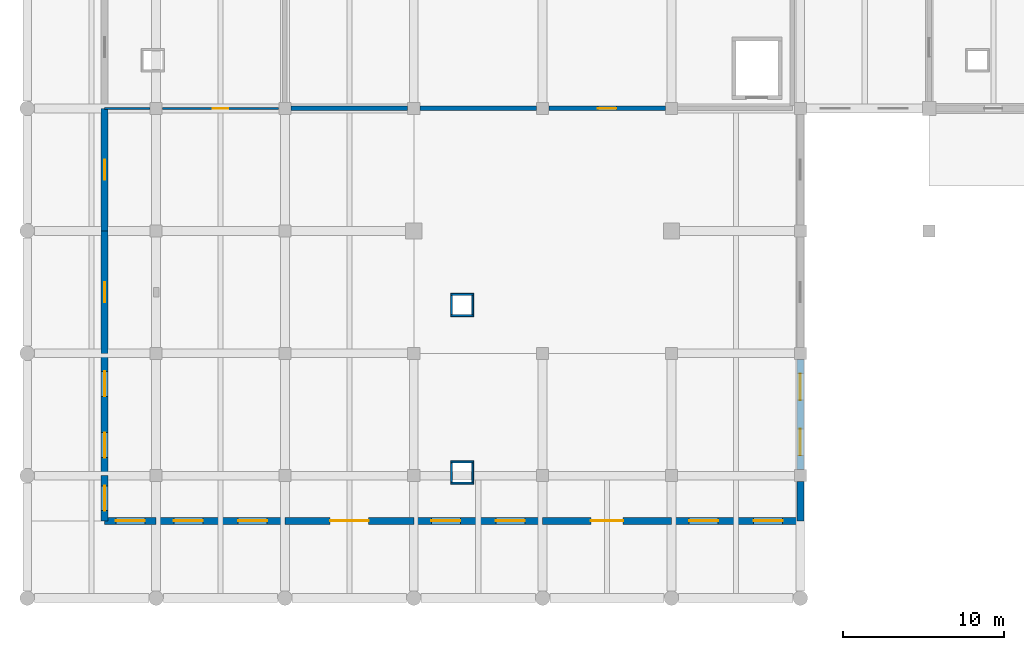
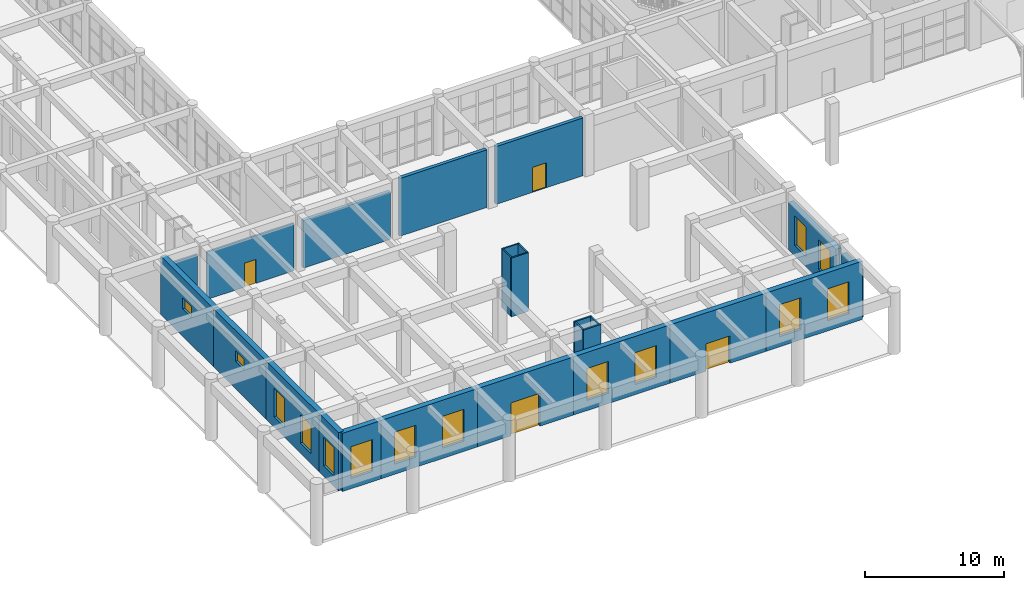
# One storey, part 69 of 95: 25 walls, 14 windows, 4 doors, 18 openings.
"""IFC4 building model written with IfcOpenShell, lengths in metres."""

from ifc_helpers import new_model, si_unit, direction, frame, frame_2d, origin, place, context, subcontext, project, spatial, rectangle, extrude, material, layer, layer_set, type_object, element, fill, save


model = new_model("IFC4")

# Units and contexts
model_context = context("Model", 3, precision=1e-05, world=origin(), true_north=direction((0.0, 1.0)))
body_context = subcontext(model_context, "Body", "Model", "MODEL_VIEW")
ifc_project = project(units=[si_unit("LENGTHUNIT", "METRE"), si_unit("AREAUNIT", "SQUARE_METRE"), si_unit("VOLUMEUNIT", "CUBIC_METRE"), si_unit("PLANEANGLEUNIT", "RADIAN"), si_unit("MASSUNIT", "GRAM", prefix="KILO")], contexts=[model_context])

# Site, building, storey
site_placement = place(None, origin())
site = spatial("IfcSite", under=ifc_project, at=site_placement, CompositionType="ELEMENT")
building_placement = place(site_placement, origin())
building = spatial("IfcBuilding", under=site, at=building_placement, Name="Zantavel Square City Hall", CompositionType="ELEMENT")
storey_placement = place(building_placement, origin())
storey = spatial("IfcBuildingStorey", under=building, at=storey_placement, Name="L01", CompositionType="ELEMENT", Elevation=0.0)

# Wall, opening, door
ifc_material_1 = material(Name="Concrete C35/45", Category="concrete")
ifc_layer_1 = layer(ifc_material_1, 0.280029296875, Name="Concrete C35/45")
ifc_layer_set_1 = layer_set([ifc_layer_1], Name="Concrete C35/45")
wall_type_1 = type_object("IfcWallType", Name="Archive & Substation Vault Wall 280mm", PredefinedType="STANDARD", material=ifc_layer_set_1)
wall_1_placement = place(storey_placement, frame((39.614990234375, 30.39990234375, 0.0), z_axis=(0.0, 0.0, 1.0), x_axis=(-1.0, 0.0, 0.0)))
wall_1 = element("IfcWall", 1, at=wall_1_placement, inside=storey, type_object=wall_type_1, Name="L01 Interior Wall IW-L01-0096", PredefinedType="STANDARD", context=body_context, shape_type="SweptSolid", body=[
    extrude(rectangle(XDim=7.22998046875, YDim=0.280029296875, at=frame_2d((3.614990234375, 0.0))), origin(), (0.0, 0.0, 1.0), 5.080078125),
])
opening_1_placement = place(wall_1_placement, frame((3.0400390625, 0.0, 0.0)))
opening_1 = element("IfcOpeningElement", 2, at=opening_1_placement, cuts=wall_1, Name="Opening D-0075", PredefinedType="OPENING", context=body_context, shape_type="SweptSolid", body=[
    extrude(rectangle(XDim=1.14990234375, YDim=2.199951171875, at=frame_2d((0.574951171875, 1.10009765625))), frame((0.0, 0.14990234375, 0.0), z_axis=(0.0, -1.0, 0.0), x_axis=(1.0, 0.0, 0.0)), (0.0, 0.0, 1.0), 0.300048828125),
])
ifc_material_2 = material(Name="Steel ASTM A500 Grade B", Category="steel")
door_type_1 = type_object("IfcDoorType", Name="Archive & Plant Fire Door 1150x2200 FD90S", OperationType="NOTDEFINED", PredefinedType="DOOR", material=ifc_material_2)
door_1_placement = place(opening_1_placement, origin())
door_1 = element("IfcDoor", 3, at=door_1_placement, inside=storey, type_object=door_type_1, Name="L01 Public Civic Hall Door", OperationType="SINGLE_SWING_LEFT", OverallHeight=2.199951171875, OverallWidth=1.14990234375, PredefinedType="DOOR", context=body_context, shape_type="SweptSolid", body=[
    extrude(rectangle(XDim=1.14990234375, YDim=2.199951171875, at=frame_2d((0.574951171875, 1.10009765625))), frame((0.0, 0.02490234375, 0.0), z_axis=(0.0, -1.0, 0.0), x_axis=(1.0, 0.0, 0.0)), (0.0, 0.0, 1.0), 0.050048828125),
])
fill(opening_1, door_1)

# Walls
wall_2_placement = place(storey_placement, frame((31.614990234375, 30.39990234375, 0.0), z_axis=(0.0, 0.0, 1.0), x_axis=(-1.0, 0.0, 0.0)))
element("IfcWall", 4, at=wall_2_placement, inside=storey, type_object=wall_type_1, Name="L01 Interior Wall IW-L01-0097", PredefinedType="STANDARD", context=body_context, shape_type="SweptSolid", body=[
    extrude(rectangle(XDim=7.22998046875, YDim=0.280029296875, at=frame_2d((3.614990234375, 0.0))), origin(), (0.0, 0.0, 1.0), 5.080078125),
])
wall_3_placement = place(storey_placement, frame((23.614990234375, 30.39990234375, 0.0), z_axis=(0.0, 0.0, 1.0), x_axis=(-1.0, 0.0, 0.0)))
element("IfcWall", 5, at=wall_3_placement, inside=storey, type_object=wall_type_1, Name="L01 Interior Wall IW-L01-0098", PredefinedType="STANDARD", context=body_context, shape_type="SweptSolid", body=[
    extrude(rectangle(XDim=7.22998046875, YDim=0.280029296875, at=frame_2d((3.614990234375, 0.0))), origin(), (0.0, 0.0, 1.0), 4.179931640625),
])
ifc_material_3 = material(Name="Gypsum acoustic stud assembly", Category="masonry")
ifc_layer_2 = layer(ifc_material_3, 0.14990234375, Name="Gypsum acoustic stud assembly")
ifc_layer_set_2 = layer_set([ifc_layer_2], Name="Gypsum acoustic stud assembly")
wall_type_2 = type_object("IfcWallType", Name="Department Office Partition 150mm", PredefinedType="PARTITIONING", material=ifc_layer_set_2)
wall_4_placement = place(storey_placement, frame((4.800048828125, 30.39990234375, 0.0), z_axis=(0.0, 0.0, 1.0), x_axis=(1.0, 0.0, 0.0)))
element("IfcWall", 6, at=wall_4_placement, inside=storey, type_object=wall_type_2, Name="L01 Interior Wall IW-L01-0135", PredefinedType="PARTITIONING", context=body_context, shape_type="SweptSolid", body=[
    extrude(rectangle(XDim=2.81494140625, YDim=0.14990234375, at=frame_2d((1.407470703125, 0.0))), origin(), (0.0, 0.0, 1.0), 4.25),
])

# Wall, opening, door
wall_5_placement = place(storey_placement, frame((8.385009765625, 30.39990234375, 0.0), z_axis=(0.0, 0.0, 1.0), x_axis=(1.0, 0.0, 0.0)))
wall_5 = element("IfcWall", 7, at=wall_5_placement, inside=storey, type_object=wall_type_2, Name="L01 Interior Wall IW-L01-0136", PredefinedType="PARTITIONING", context=body_context, shape_type="SweptSolid", body=[
    extrude(rectangle(XDim=7.22998046875, YDim=0.14990234375, at=frame_2d((3.614990234375, 0.0))), origin(), (0.0, 0.0, 1.0), 4.179931640625),
])
opening_2_placement = place(wall_5_placement, frame((3.139892578125, 0.0, 0.0)))
opening_2 = element("IfcOpeningElement", 8, at=opening_2_placement, cuts=wall_5, Name="Opening D-0072", PredefinedType="OPENING", context=body_context, shape_type="SweptSolid", body=[
    extrude(rectangle(XDim=0.949951171875, YDim=2.10009765625, at=frame_2d((0.47509765625, 1.050048828125))), frame((0.0, 0.0849609375, 0.0), z_axis=(0.0, -1.0, 0.0), x_axis=(1.0, 0.0, 0.0)), (0.0, 0.0, 1.0), 0.169921875),
])
ifc_material_4 = material(Name="Solid oak hardwood", Category="wood")
door_type_2 = type_object("IfcDoorType", Name="Office Internal Oak Single Door 950x2100", OperationType="NOTDEFINED", PredefinedType="DOOR", material=ifc_material_4)
door_2_placement = place(opening_2_placement, origin())
door_2 = element("IfcDoor", 9, at=door_2_placement, inside=storey, type_object=door_type_2, Name="L01 Municipal History Exhibition Gallery Door", OperationType="SINGLE_SWING_RIGHT", OverallHeight=2.10009765625, OverallWidth=0.949951171875, PredefinedType="DOOR", context=body_context, shape_type="SweptSolid", body=[
    extrude(rectangle(XDim=0.949951171875, YDim=2.10009765625, at=frame_2d((0.47509765625, 1.050048828125))), frame((0.0, 0.02490234375, 0.0), z_axis=(0.0, -1.0, 0.0), x_axis=(1.0, 0.0, 0.0)), (0.0, 0.0, 1.0), 0.050048828125),
])
fill(opening_2, door_2)

# Walls
ifc_layer_3 = layer(ifc_material_1, 0.1201171875, Name="Concrete C35/45")
ifc_layer_set_3 = layer_set([ifc_layer_3], Name="Concrete C35/45")
wall_type_3 = type_object("IfcWallType", Name="Riser Chase Wall RC 120mm C35/45", PredefinedType="PARTITIONING", material=ifc_layer_set_3)
wall_6_placement = place(storey_placement, frame((27.719970703125, 7.139892578125, 0.0), z_axis=(0.0, 0.0, 1.0), x_axis=(-1.0, 0.0, 0.0)))
element("IfcWall", 10, at=wall_6_placement, inside=storey, type_object=wall_type_3, Name="L01 MEP Riser 14 Wall S", PredefinedType="PARTITIONING", context=body_context, shape_type="SweptSolid", body=[
    extrude(rectangle(XDim=1.43994140625, YDim=0.1201171875, at=frame_2d((0.719970703125, 0.0))), origin(), (0.0, 0.0, 1.0), 5.14990234375),
])
wall_7_placement = place(storey_placement, frame((26.340087890625, 7.199951171875, 0.0), z_axis=(0.0, 0.0, 1.0), x_axis=(0.0, 1.0, 0.0)))
element("IfcWall", 11, at=wall_7_placement, inside=storey, type_object=wall_type_3, Name="L01 MEP Riser 14 Wall W", PredefinedType="PARTITIONING", context=body_context, shape_type="SweptSolid", body=[
    extrude(rectangle(XDim=1.199951171875, YDim=0.1201171875, at=frame_2d((0.60009765625, 0.0))), origin(), (0.0, 0.0, 1.0), 5.080078125),
])
wall_8_placement = place(storey_placement, frame((26.280029296875, 8.4599609375, 0.0), z_axis=(0.0, 0.0, 1.0), x_axis=(1.0, 0.0, 0.0)))
element("IfcWall", 12, at=wall_8_placement, inside=storey, type_object=wall_type_3, Name="L01 MEP Riser 14 Wall N", PredefinedType="PARTITIONING", context=body_context, shape_type="SweptSolid", body=[
    extrude(rectangle(XDim=1.43994140625, YDim=0.1201171875, at=frame_2d((0.719970703125, 0.0))), origin(), (0.0, 0.0, 1.0), 5.080078125),
])
wall_9_placement = place(storey_placement, frame((27.659912109375, 8.39990234375, 0.0), z_axis=(0.0, 0.0, 1.0), x_axis=(0.0, -1.0, 0.0)))
element("IfcWall", 13, at=wall_9_placement, inside=storey, type_object=wall_type_3, Name="L01 MEP Riser 14 Wall E", PredefinedType="PARTITIONING", context=body_context, shape_type="SweptSolid", body=[
    extrude(rectangle(XDim=1.199951171875, YDim=0.1201171875, at=frame_2d((0.60009765625, 0.0))), origin(), (0.0, 0.0, 1.0), 5.080078125),
])
wall_10_placement = place(storey_placement, frame((27.719970703125, 17.5400390625, 0.0), z_axis=(0.0, 0.0, 1.0), x_axis=(-1.0, 0.0, 0.0)))
element("IfcWall", 14, at=wall_10_placement, inside=storey, type_object=wall_type_3, Name="L01 MEP Riser 15 Wall S", PredefinedType="PARTITIONING", context=body_context, shape_type="SweptSolid", body=[
    extrude(rectangle(XDim=1.43994140625, YDim=0.1201171875, at=frame_2d((0.719970703125, 0.0))), origin(), (0.0, 0.0, 1.0), 5.159912109375),
])
wall_11_placement = place(storey_placement, frame((26.340087890625, 17.60009765625, 0.0), z_axis=(0.0, 0.0, 1.0), x_axis=(0.0, 1.0, 0.0)))
element("IfcWall", 15, at=wall_11_placement, inside=storey, type_object=wall_type_3, Name="L01 MEP Riser 15 Wall W", PredefinedType="PARTITIONING", context=body_context, shape_type="SweptSolid", body=[
    extrude(rectangle(XDim=1.199951171875, YDim=0.1201171875, at=frame_2d((0.60009765625, 0.0))), origin(), (0.0, 0.0, 1.0), 5.159912109375),
])
wall_12_placement = place(storey_placement, frame((26.280029296875, 18.860107421875, 0.0), z_axis=(0.0, 0.0, 1.0), x_axis=(1.0, 0.0, 0.0)))
element("IfcWall", 16, at=wall_12_placement, inside=storey, type_object=wall_type_3, Name="L01 MEP Riser 15 Wall N", PredefinedType="PARTITIONING", context=body_context, shape_type="SweptSolid", body=[
    extrude(rectangle(XDim=1.43994140625, YDim=0.1201171875, at=frame_2d((0.719970703125, 0.0))), origin(), (0.0, 0.0, 1.0), 5.159912109375),
])
wall_13_placement = place(storey_placement, frame((27.659912109375, 18.800048828125, 0.0), z_axis=(0.0, 0.0, 1.0), x_axis=(0.0, -1.0, 0.0)))
element("IfcWall", 17, at=wall_13_placement, inside=storey, type_object=wall_type_3, Name="L01 MEP Riser 15 Wall E", PredefinedType="PARTITIONING", context=body_context, shape_type="SweptSolid", body=[
    extrude(rectangle(XDim=1.199951171875, YDim=0.1201171875, at=frame_2d((0.60009765625, 0.0))), origin(), (0.0, 0.0, 1.0), 5.159912109375),
])

# Wall, openings, windows
ifc_material_5 = material(Name="Tezontle volcanic basaltic scoria stone", Category="masonry")
ifc_layer_4 = layer(ifc_material_5, 0.43994140625, Name="Tezontle volcanic basaltic scoria stone")
ifc_layer_set_4 = layer_set([ifc_layer_4], Name="Tezontle volcanic basaltic scoria stone")
wall_type_4 = type_object("IfcWallType", Name="Tezontle Rusticated Plinth Wall 440mm", PredefinedType="STANDARD", material=ifc_layer_set_4)
wall_14_placement = place(storey_placement, frame((48.0, 14.824951171875, 0.0), z_axis=(0.0, 0.0, 1.0), x_axis=(0.0, -1.0, 0.0)))
wall_14 = element("IfcWall", 18, at=wall_14_placement, inside=storey, type_object=wall_type_4, Name="L01 Exterior Wall EW-L01-085", PredefinedType="STANDARD", context=body_context, shape_type="SweptSolid", body=[
    extrude(rectangle(XDim=6.849853515625, YDim=0.43994140625, at=frame_2d((3.4248046875, 0.0))), origin(), (0.0, 0.0, 1.0), 4.179931640625),
])
opening_3_placement = place(wall_14_placement, frame((0.887451171875, 0.0, 0.89990234375)))
opening_3 = element("IfcOpeningElement", 19, at=opening_3_placement, cuts=wall_14, Name="Opening W-118", PredefinedType="OPENING", context=body_context, shape_type="SweptSolid", body=[
    extrude(rectangle(XDim=1.64990234375, YDim=2.60009765625, at=frame_2d((0.824951171875, 1.300048828125))), frame((0.0, 0.22998046875, 0.0), z_axis=(0.0, -1.0, 0.0), x_axis=(1.0, 0.0, 0.0)), (0.0, 0.0, 1.0), 0.4599609375),
])
opening_4_placement = place(wall_14_placement, frame((4.3125, 0.0, 0.89990234375)))
opening_4 = element("IfcOpeningElement", 20, at=opening_4_placement, cuts=wall_14, Name="Opening W-119", PredefinedType="OPENING", context=body_context, shape_type="SweptSolid", body=[
    extrude(rectangle(XDim=1.64990234375, YDim=2.60009765625, at=frame_2d((0.824951171875, 1.300048828125))), frame((0.0, 0.22998046875, 0.0), z_axis=(0.0, -1.0, 0.0), x_axis=(1.0, 0.0, 0.0)), (0.0, 0.0, 1.0), 0.4599609375),
])
ifc_material_6 = material(Name="Tempered safety glass low-E double glazing", Category="glass")
window_type_1 = type_object("IfcWindowType", Name="Window Ground Civic Tall 1650x2600", PartitioningType="DOUBLE_PANEL_VERTICAL", PredefinedType="WINDOW", material=ifc_material_6)
window_1_placement = place(opening_3_placement, origin())
window_1 = element("IfcWindow", 21, at=window_1_placement, inside=storey, type_object=window_type_1, Name="L01 Window W-118", OverallHeight=2.60009765625, OverallWidth=1.64990234375, PartitioningType="DOUBLE_PANEL_VERTICAL", PredefinedType="WINDOW", context=body_context, shape_type="SweptSolid", body=[
    extrude(rectangle(XDim=1.64990234375, YDim=2.60009765625, at=frame_2d((0.824951171875, 1.300048828125))), frame((0.0, 0.030029296875, 0.0), z_axis=(0.0, -1.0, 0.0), x_axis=(1.0, 0.0, 0.0)), (0.0, 0.0, 1.0), 0.06005859375),
])
fill(opening_3, window_1)
window_2_placement = place(opening_4_placement, origin())
window_2 = element("IfcWindow", 22, at=window_2_placement, inside=storey, type_object=window_type_1, Name="L01 Window W-119", OverallHeight=2.60009765625, OverallWidth=1.64990234375, PartitioningType="DOUBLE_PANEL_VERTICAL", PredefinedType="WINDOW", context=body_context, shape_type="SweptSolid", body=[
    extrude(rectangle(XDim=1.64990234375, YDim=2.60009765625, at=frame_2d((0.824951171875, 1.300048828125))), frame((0.0, 0.030029296875, 0.0), z_axis=(0.0, -1.0, 0.0), x_axis=(1.0, 0.0, 0.0)), (0.0, 0.0, 1.0), 0.06005859375),
])
fill(opening_4, window_2)

# Wall
wall_15_placement = place(storey_placement, frame((48.0, 7.22509765625, 0.0), z_axis=(0.0, 0.0, 1.0), x_axis=(0.0, -1.0, 0.0)))
element("IfcWall", 23, at=wall_15_placement, inside=storey, type_object=wall_type_4, Name="L01 Exterior Wall EW-L01-086", PredefinedType="STANDARD", context=body_context, shape_type="SweptSolid", body=[
    extrude(rectangle(XDim=2.425048828125, YDim=0.43994140625, at=frame_2d((1.21240234375, 0.0))), origin(), (0.0, 0.0, 1.0), 4.25),
])

# Wall, openings, windows
wall_16_placement = place(storey_placement, frame((48.0, 4.800048828125, 0.0), z_axis=(0.0, 0.0, 1.0), x_axis=(-1.0, 0.0, 0.0)))
wall_16 = element("IfcWall", 24, at=wall_16_placement, inside=storey, type_object=wall_type_4, Name="L01 Exterior Wall EW-L01-087", PredefinedType="STANDARD", context=body_context, shape_type="SweptSolid", body=[
    extrude(rectangle(XDim=8.0, YDim=0.43994140625, at=frame_2d((4.0, 0.0))), origin(), (0.0, 0.0, 1.0), 5.1201171875),
])
opening_5_placement = place(wall_16_placement, frame((1.10009765625, 0.0, 0.89990234375)))
opening_5 = element("IfcOpeningElement", 25, at=opening_5_placement, cuts=wall_16, Name="Opening W-120", PredefinedType="OPENING", context=body_context, shape_type="SweptSolid", body=[
    extrude(rectangle(XDim=1.800048828125, YDim=2.800048828125, at=frame_2d((0.89990234375, 1.39990234375))), frame((0.0, 0.22998046875, 0.0), z_axis=(0.0, -1.0, 0.0), x_axis=(1.0, 0.0, 0.0)), (0.0, 0.0, 1.0), 0.4599609375),
])
opening_6_placement = place(wall_16_placement, frame((5.10009765625, 0.0, 0.89990234375)))
opening_6 = element("IfcOpeningElement", 26, at=opening_6_placement, cuts=wall_16, Name="Opening W-121", PredefinedType="OPENING", context=body_context, shape_type="SweptSolid", body=[
    extrude(rectangle(XDim=1.800048828125, YDim=2.800048828125, at=frame_2d((0.89990234375, 1.39990234375))), frame((0.0, 0.22998046875, 0.0), z_axis=(0.0, -1.0, 0.0), x_axis=(1.0, 0.0, 0.0)), (0.0, 0.0, 1.0), 0.4599609375),
])
window_type_2 = type_object("IfcWindowType", Name="Window Portales Grand Arch 1800x2800", PartitioningType="DOUBLE_PANEL_VERTICAL", PredefinedType="WINDOW", material=ifc_material_6)
window_3_placement = place(opening_5_placement, origin())
window_3 = element("IfcWindow", 27, at=window_3_placement, inside=storey, type_object=window_type_2, Name="L01 Window W-120", OverallHeight=2.800048828125, OverallWidth=1.800048828125, PartitioningType="DOUBLE_PANEL_VERTICAL", PredefinedType="WINDOW", context=body_context, shape_type="SweptSolid", body=[
    extrude(rectangle(XDim=1.800048828125, YDim=2.800048828125, at=frame_2d((0.89990234375, 1.39990234375))), frame((0.0, 0.030029296875, 0.0), z_axis=(0.0, -1.0, 0.0), x_axis=(1.0, 0.0, 0.0)), (0.0, 0.0, 1.0), 0.06005859375),
])
fill(opening_5, window_3)
window_4_placement = place(opening_6_placement, origin())
window_4 = element("IfcWindow", 28, at=window_4_placement, inside=storey, type_object=window_type_2, Name="L01 Window W-121", OverallHeight=2.800048828125, OverallWidth=1.800048828125, PartitioningType="DOUBLE_PANEL_VERTICAL", PredefinedType="WINDOW", context=body_context, shape_type="SweptSolid", body=[
    extrude(rectangle(XDim=1.800048828125, YDim=2.800048828125, at=frame_2d((0.89990234375, 1.39990234375))), frame((0.0, 0.030029296875, 0.0), z_axis=(0.0, -1.0, 0.0), x_axis=(1.0, 0.0, 0.0)), (0.0, 0.0, 1.0), 0.06005859375),
])
fill(opening_6, window_4)

# Wall, opening, door
wall_17_placement = place(storey_placement, frame((40.0, 4.800048828125, 0.0), z_axis=(0.0, 0.0, 1.0), x_axis=(-1.0, 0.0, 0.0)))
wall_17 = element("IfcWall", 29, at=wall_17_placement, inside=storey, type_object=wall_type_4, Name="L01 Exterior Wall EW-L01-088", PredefinedType="STANDARD", context=body_context, shape_type="SweptSolid", body=[
    extrude(rectangle(XDim=8.0, YDim=0.43994140625, at=frame_2d((4.0, 0.0))), origin(), (0.0, 0.0, 1.0), 5.1201171875),
])
opening_7_placement = place(wall_17_placement, frame((3.0, 0.0, 0.0)))
opening_7 = element("IfcOpeningElement", 30, at=opening_7_placement, cuts=wall_17, Name="Opening ED-015", PredefinedType="OPENING", context=body_context, shape_type="SweptSolid", body=[
    extrude(rectangle(XDim=2.0, YDim=2.39990234375, at=frame_2d((1.0, 1.199951171875))), frame((0.0, 0.22998046875, 0.0), z_axis=(0.0, -1.0, 0.0), x_axis=(1.0, 0.0, 0.0)), (0.0, 0.0, 1.0), 0.4599609375),
])
ifc_material_7 = material(Name="Anodised aluminium 6063-T6", Category="aluminium")
door_type_3 = type_object("IfcDoorType", Name="Plaza Final Exit Double Door 2000x2400", OperationType="NOTDEFINED", PredefinedType="DOOR", material=ifc_material_7)
door_3_placement = place(opening_7_placement, origin())
door_3 = element("IfcDoor", 31, at=door_3_placement, inside=storey, type_object=door_type_3, Name="West Public Civic Hall East Exit", OperationType="DOUBLE_DOOR_SINGLE_SWING", OverallHeight=2.39990234375, OverallWidth=2.0, PredefinedType="DOOR", context=body_context, shape_type="SweptSolid", body=[
    extrude(rectangle(XDim=2.0, YDim=2.39990234375, at=frame_2d((1.0, 1.199951171875))), frame((0.0, 0.02490234375, 0.0), z_axis=(0.0, -1.0, 0.0), x_axis=(1.0, 0.0, 0.0)), (0.0, 0.0, 1.0), 0.050048828125),
])
fill(opening_7, door_3)

# Wall, openings, windows
wall_18_placement = place(storey_placement, frame((32.0, 4.800048828125, 0.0), z_axis=(0.0, 0.0, 1.0), x_axis=(-1.0, 0.0, 0.0)))
wall_18 = element("IfcWall", 32, at=wall_18_placement, inside=storey, type_object=wall_type_4, Name="L01 Exterior Wall EW-L01-089", PredefinedType="STANDARD", context=body_context, shape_type="SweptSolid", body=[
    extrude(rectangle(XDim=8.0, YDim=0.43994140625, at=frame_2d((4.0, 0.0))), origin(), (0.0, 0.0, 1.0), 5.1201171875),
])
opening_8_placement = place(wall_18_placement, frame((1.10009765625, 0.0, 0.89990234375)))
opening_8 = element("IfcOpeningElement", 33, at=opening_8_placement, cuts=wall_18, Name="Opening W-122", PredefinedType="OPENING", context=body_context, shape_type="SweptSolid", body=[
    extrude(rectangle(XDim=1.800048828125, YDim=2.800048828125, at=frame_2d((0.89990234375, 1.39990234375))), frame((0.0, 0.22998046875, 0.0), z_axis=(0.0, -1.0, 0.0), x_axis=(1.0, 0.0, 0.0)), (0.0, 0.0, 1.0), 0.4599609375),
])
opening_9_placement = place(wall_18_placement, frame((5.10009765625, 0.0, 0.89990234375)))
opening_9 = element("IfcOpeningElement", 34, at=opening_9_placement, cuts=wall_18, Name="Opening W-123", PredefinedType="OPENING", context=body_context, shape_type="SweptSolid", body=[
    extrude(rectangle(XDim=1.800048828125, YDim=2.800048828125, at=frame_2d((0.89990234375, 1.39990234375))), frame((0.0, 0.22998046875, 0.0), z_axis=(0.0, -1.0, 0.0), x_axis=(1.0, 0.0, 0.0)), (0.0, 0.0, 1.0), 0.4599609375),
])
window_5_placement = place(opening_8_placement, origin())
window_5 = element("IfcWindow", 35, at=window_5_placement, inside=storey, type_object=window_type_2, Name="L01 Window W-122", OverallHeight=2.800048828125, OverallWidth=1.800048828125, PartitioningType="DOUBLE_PANEL_VERTICAL", PredefinedType="WINDOW", context=body_context, shape_type="SweptSolid", body=[
    extrude(rectangle(XDim=1.800048828125, YDim=2.800048828125, at=frame_2d((0.89990234375, 1.39990234375))), frame((0.0, 0.030029296875, 0.0), z_axis=(0.0, -1.0, 0.0), x_axis=(1.0, 0.0, 0.0)), (0.0, 0.0, 1.0), 0.06005859375),
])
fill(opening_8, window_5)
window_6_placement = place(opening_9_placement, origin())
window_6 = element("IfcWindow", 36, at=window_6_placement, inside=storey, type_object=window_type_2, Name="L01 Window W-123", OverallHeight=2.800048828125, OverallWidth=1.800048828125, PartitioningType="DOUBLE_PANEL_VERTICAL", PredefinedType="WINDOW", context=body_context, shape_type="SweptSolid", body=[
    extrude(rectangle(XDim=1.800048828125, YDim=2.800048828125, at=frame_2d((0.89990234375, 1.39990234375))), frame((0.0, 0.030029296875, 0.0), z_axis=(0.0, -1.0, 0.0), x_axis=(1.0, 0.0, 0.0)), (0.0, 0.0, 1.0), 0.06005859375),
])
fill(opening_9, window_6)

# Wall, opening, door
wall_19_placement = place(storey_placement, frame((24.0, 4.800048828125, 0.0), z_axis=(0.0, 0.0, 1.0), x_axis=(-1.0, 0.0, 0.0)))
wall_19 = element("IfcWall", 37, at=wall_19_placement, inside=storey, type_object=wall_type_4, Name="L01 Exterior Wall EW-L01-090", PredefinedType="STANDARD", context=body_context, shape_type="SweptSolid", body=[
    extrude(rectangle(XDim=8.0, YDim=0.43994140625, at=frame_2d((4.0, 0.0))), origin(), (0.0, 0.0, 1.0), 5.1201171875),
])
opening_10_placement = place(wall_19_placement, frame((2.800048828125, 0.0, 0.0)))
opening_10 = element("IfcOpeningElement", 38, at=opening_10_placement, cuts=wall_19, Name="Opening ED-016", PredefinedType="OPENING", context=body_context, shape_type="SweptSolid", body=[
    extrude(rectangle(XDim=2.39990234375, YDim=2.89990234375, at=frame_2d((1.199951171875, 1.449951171875))), frame((0.0, 0.22998046875, 0.0), z_axis=(0.0, -1.0, 0.0), x_axis=(1.0, 0.0, 0.0)), (0.0, 0.0, 1.0), 0.4599609375),
])
door_type_4 = type_object("IfcDoorType", Name="Public Hall Grand Entrance Door 2400x2900", OperationType="NOTDEFINED", PredefinedType="DOOR", material=ifc_material_4)
door_4_placement = place(opening_10_placement, origin())
door_4 = element("IfcDoor", 39, at=door_4_placement, inside=storey, type_object=door_type_4, Name="West Public Civic Hall South Entrance", OperationType="DOUBLE_DOOR_SINGLE_SWING", OverallHeight=2.89990234375, OverallWidth=2.39990234375, PredefinedType="DOOR", context=body_context, shape_type="SweptSolid", body=[
    extrude(rectangle(XDim=2.39990234375, YDim=2.89990234375, at=frame_2d((1.199951171875, 1.449951171875))), frame((0.0, 0.02490234375, 0.0), z_axis=(0.0, -1.0, 0.0), x_axis=(1.0, 0.0, 0.0)), (0.0, 0.0, 1.0), 0.050048828125),
])
fill(opening_10, door_4)

# Wall, openings, windows
wall_20_placement = place(storey_placement, frame((16.0, 4.800048828125, 0.0), z_axis=(0.0, 0.0, 1.0), x_axis=(-1.0, 0.0, 0.0)))
wall_20 = element("IfcWall", 40, at=wall_20_placement, inside=storey, type_object=wall_type_4, Name="L01 Exterior Wall EW-L01-091", PredefinedType="STANDARD", context=body_context, shape_type="SweptSolid", body=[
    extrude(rectangle(XDim=8.0, YDim=0.43994140625, at=frame_2d((4.0, 0.0))), origin(), (0.0, 0.0, 1.0), 5.1201171875),
])
opening_11_placement = place(wall_20_placement, frame((1.10009765625, 0.0, 0.89990234375)))
opening_11 = element("IfcOpeningElement", 41, at=opening_11_placement, cuts=wall_20, Name="Opening W-124", PredefinedType="OPENING", context=body_context, shape_type="SweptSolid", body=[
    extrude(rectangle(XDim=1.800048828125, YDim=2.800048828125, at=frame_2d((0.89990234375, 1.39990234375))), frame((0.0, 0.22998046875, 0.0), z_axis=(0.0, -1.0, 0.0), x_axis=(1.0, 0.0, 0.0)), (0.0, 0.0, 1.0), 0.4599609375),
])
opening_12_placement = place(wall_20_placement, frame((5.10009765625, 0.0, 0.89990234375)))
opening_12 = element("IfcOpeningElement", 42, at=opening_12_placement, cuts=wall_20, Name="Opening W-125", PredefinedType="OPENING", context=body_context, shape_type="SweptSolid", body=[
    extrude(rectangle(XDim=1.800048828125, YDim=2.800048828125, at=frame_2d((0.89990234375, 1.39990234375))), frame((0.0, 0.22998046875, 0.0), z_axis=(0.0, -1.0, 0.0), x_axis=(1.0, 0.0, 0.0)), (0.0, 0.0, 1.0), 0.4599609375),
])
window_7_placement = place(opening_11_placement, origin())
window_7 = element("IfcWindow", 43, at=window_7_placement, inside=storey, type_object=window_type_2, Name="L01 Window W-124", OverallHeight=2.800048828125, OverallWidth=1.800048828125, PartitioningType="DOUBLE_PANEL_VERTICAL", PredefinedType="WINDOW", context=body_context, shape_type="SweptSolid", body=[
    extrude(rectangle(XDim=1.800048828125, YDim=2.800048828125, at=frame_2d((0.89990234375, 1.39990234375))), frame((0.0, 0.030029296875, 0.0), z_axis=(0.0, -1.0, 0.0), x_axis=(1.0, 0.0, 0.0)), (0.0, 0.0, 1.0), 0.06005859375),
])
fill(opening_11, window_7)
window_8_placement = place(opening_12_placement, origin())
window_8 = element("IfcWindow", 44, at=window_8_placement, inside=storey, type_object=window_type_2, Name="L01 Window W-125", OverallHeight=2.800048828125, OverallWidth=1.800048828125, PartitioningType="DOUBLE_PANEL_VERTICAL", PredefinedType="WINDOW", context=body_context, shape_type="SweptSolid", body=[
    extrude(rectangle(XDim=1.800048828125, YDim=2.800048828125, at=frame_2d((0.89990234375, 1.39990234375))), frame((0.0, 0.030029296875, 0.0), z_axis=(0.0, -1.0, 0.0), x_axis=(1.0, 0.0, 0.0)), (0.0, 0.0, 1.0), 0.06005859375),
])
fill(opening_12, window_8)

# Wall, opening, window
wall_21_placement = place(storey_placement, frame((8.0, 4.800048828125, 0.0), z_axis=(0.0, 0.0, 1.0), x_axis=(-1.0, 0.0, 0.0)))
wall_21 = element("IfcWall", 45, at=wall_21_placement, inside=storey, type_object=wall_type_4, Name="L01 Exterior Wall EW-L01-092", PredefinedType="STANDARD", context=body_context, shape_type="SweptSolid", body=[
    extrude(rectangle(XDim=3.199951171875, YDim=0.43994140625, at=frame_2d((1.60009765625, 0.0))), origin(), (0.0, 0.0, 1.0), 5.1201171875),
])
opening_13_placement = place(wall_21_placement, frame((0.699951171875, 0.0, 0.89990234375)))
opening_13 = element("IfcOpeningElement", 46, at=opening_13_placement, cuts=wall_21, Name="Opening W-126", PredefinedType="OPENING", context=body_context, shape_type="SweptSolid", body=[
    extrude(rectangle(XDim=1.800048828125, YDim=2.800048828125, at=frame_2d((0.89990234375, 1.39990234375))), frame((0.0, 0.22998046875, 0.0), z_axis=(0.0, -1.0, 0.0), x_axis=(1.0, 0.0, 0.0)), (0.0, 0.0, 1.0), 0.4599609375),
])
window_9_placement = place(opening_13_placement, origin())
window_9 = element("IfcWindow", 47, at=window_9_placement, inside=storey, type_object=window_type_2, Name="L01 Window W-126", OverallHeight=2.800048828125, OverallWidth=1.800048828125, PartitioningType="DOUBLE_PANEL_VERTICAL", PredefinedType="WINDOW", context=body_context, shape_type="SweptSolid", body=[
    extrude(rectangle(XDim=1.800048828125, YDim=2.800048828125, at=frame_2d((0.89990234375, 1.39990234375))), frame((0.0, 0.030029296875, 0.0), z_axis=(0.0, -1.0, 0.0), x_axis=(1.0, 0.0, 0.0)), (0.0, 0.0, 1.0), 0.06005859375),
])
fill(opening_13, window_9)

wall_22_placement = place(storey_placement, frame((4.800048828125, 4.800048828125, 0.0), z_axis=(0.0, 0.0, 1.0), x_axis=(0.0, 1.0, 0.0)))
wall_22 = element("IfcWall", 48, at=wall_22_placement, inside=storey, type_object=wall_type_4, Name="L01 Exterior Wall EW-L01-093", PredefinedType="STANDARD", context=body_context, shape_type="SweptSolid", body=[
    extrude(rectangle(XDim=2.800048828125, YDim=0.43994140625, at=frame_2d((1.39990234375, 0.0))), origin(), (0.0, 0.0, 1.0), 5.1201171875),
])
opening_14_placement = place(wall_22_placement, frame((0.625, 0.0, 0.89990234375)))
opening_14 = element("IfcOpeningElement", 49, at=opening_14_placement, cuts=wall_22, Name="Opening W-127", PredefinedType="OPENING", context=body_context, shape_type="SweptSolid", body=[
    extrude(rectangle(XDim=1.550048828125, YDim=2.5, at=frame_2d((0.77490234375, 1.25))), frame((0.0, 0.22998046875, 0.0), z_axis=(0.0, -1.0, 0.0), x_axis=(1.0, 0.0, 0.0)), (0.0, 0.0, 1.0), 0.4599609375),
])
window_type_3 = type_object("IfcWindowType", Name="Window Ground Annex 1550x2500", PartitioningType="DOUBLE_PANEL_VERTICAL", PredefinedType="WINDOW", material=ifc_material_6)
window_10_placement = place(opening_14_placement, origin())
window_10 = element("IfcWindow", 50, at=window_10_placement, inside=storey, type_object=window_type_3, Name="L01 Window W-127", OverallHeight=2.5, OverallWidth=1.550048828125, PartitioningType="DOUBLE_PANEL_VERTICAL", PredefinedType="WINDOW", context=body_context, shape_type="SweptSolid", body=[
    extrude(rectangle(XDim=1.550048828125, YDim=2.5, at=frame_2d((0.77490234375, 1.25))), frame((0.0, 0.030029296875, 0.0), z_axis=(0.0, -1.0, 0.0), x_axis=(1.0, 0.0, 0.0)), (0.0, 0.0, 1.0), 0.06005859375),
])
fill(opening_14, window_10)

# Wall, openings, windows
wall_23_placement = place(storey_placement, frame((4.800048828125, 7.60009765625, 0.0), z_axis=(0.0, 0.0, 1.0), x_axis=(0.0, 1.0, 0.0)))
wall_23 = element("IfcWall", 51, at=wall_23_placement, inside=storey, type_object=wall_type_4, Name="L01 Exterior Wall EW-L01-094", PredefinedType="STANDARD", context=body_context, shape_type="SweptSolid", body=[
    extrude(rectangle(XDim=7.599853515625, YDim=0.43994140625, at=frame_2d((3.7998046875, 0.0))), origin(), (0.0, 0.0, 1.0), 5.1201171875),
])
opening_15_placement = place(wall_23_placement, frame((1.125, 0.0, 0.89990234375)))
opening_15 = element("IfcOpeningElement", 52, at=opening_15_placement, cuts=wall_23, Name="Opening W-128", PredefinedType="OPENING", context=body_context, shape_type="SweptSolid", body=[
    extrude(rectangle(XDim=1.550048828125, YDim=2.5, at=frame_2d((0.77490234375, 1.25))), frame((0.0, 0.22998046875, 0.0), z_axis=(0.0, -1.0, 0.0), x_axis=(1.0, 0.0, 0.0)), (0.0, 0.0, 1.0), 0.4599609375),
])
opening_16_placement = place(wall_23_placement, frame((4.925048828125, 0.0, 0.89990234375)))
opening_16 = element("IfcOpeningElement", 53, at=opening_16_placement, cuts=wall_23, Name="Opening W-129", PredefinedType="OPENING", context=body_context, shape_type="SweptSolid", body=[
    extrude(rectangle(XDim=1.550048828125, YDim=2.5, at=frame_2d((0.77490234375, 1.25))), frame((0.0, 0.22998046875, 0.0), z_axis=(0.0, -1.0, 0.0), x_axis=(1.0, 0.0, 0.0)), (0.0, 0.0, 1.0), 0.4599609375),
])
window_11_placement = place(opening_15_placement, origin())
window_11 = element("IfcWindow", 54, at=window_11_placement, inside=storey, type_object=window_type_3, Name="L01 Window W-128", OverallHeight=2.5, OverallWidth=1.550048828125, PartitioningType="DOUBLE_PANEL_VERTICAL", PredefinedType="WINDOW", context=body_context, shape_type="SweptSolid", body=[
    extrude(rectangle(XDim=1.550048828125, YDim=2.5, at=frame_2d((0.77490234375, 1.25))), frame((0.0, 0.030029296875, 0.0), z_axis=(0.0, -1.0, 0.0), x_axis=(1.0, 0.0, 0.0)), (0.0, 0.0, 1.0), 0.06005859375),
])
fill(opening_15, window_11)
window_12_placement = place(opening_16_placement, origin())
window_12 = element("IfcWindow", 55, at=window_12_placement, inside=storey, type_object=window_type_3, Name="L01 Window W-129", OverallHeight=2.5, OverallWidth=1.550048828125, PartitioningType="DOUBLE_PANEL_VERTICAL", PredefinedType="WINDOW", context=body_context, shape_type="SweptSolid", body=[
    extrude(rectangle(XDim=1.550048828125, YDim=2.5, at=frame_2d((0.77490234375, 1.25))), frame((0.0, 0.030029296875, 0.0), z_axis=(0.0, -1.0, 0.0), x_axis=(1.0, 0.0, 0.0)), (0.0, 0.0, 1.0), 0.06005859375),
])
fill(opening_16, window_12)

# Wall, opening, window
wall_24_placement = place(storey_placement, frame((4.800048828125, 15.199951171875, 0.0), z_axis=(0.0, 0.0, 1.0), x_axis=(0.0, 1.0, 0.0)))
wall_24 = element("IfcWall", 56, at=wall_24_placement, inside=storey, type_object=wall_type_4, Name="L01 Exterior Wall EW-L01-095", PredefinedType="STANDARD", context=body_context, shape_type="SweptSolid", body=[
    extrude(rectangle(XDim=7.60009765625, YDim=0.43994140625, at=frame_2d((3.800048828125, 0.0))), origin(), (0.0, 0.0, 1.0), 5.1201171875),
])
opening_17_placement = place(wall_24_placement, frame((3.175048828125, 0.0, 2.39990234375)))
opening_17 = element("IfcOpeningElement", 57, at=opening_17_placement, cuts=wall_24, Name="Opening W-130", PredefinedType="OPENING", context=body_context, shape_type="SweptSolid", body=[
    extrude(rectangle(XDim=1.25, YDim=0.949951171875, at=frame_2d((0.625, 0.47509765625))), frame((0.0, 0.22998046875, 0.0), z_axis=(0.0, -1.0, 0.0), x_axis=(1.0, 0.0, 0.0)), (0.0, 0.0, 1.0), 0.4599609375),
])
window_type_4 = type_object("IfcWindowType", Name="Window Archive High Clerestory 1250x950", PartitioningType="SINGLE_PANEL", PredefinedType="WINDOW", material=ifc_material_6)
window_13_placement = place(opening_17_placement, origin())
window_13 = element("IfcWindow", 58, at=window_13_placement, inside=storey, type_object=window_type_4, Name="L01 Window W-130", OverallHeight=0.949951171875, OverallWidth=1.25, PartitioningType="SINGLE_PANEL", PredefinedType="WINDOW", context=body_context, shape_type="SweptSolid", body=[
    extrude(rectangle(XDim=1.25, YDim=0.949951171875, at=frame_2d((0.625, 0.47509765625))), frame((0.0, 0.030029296875, 0.0), z_axis=(0.0, -1.0, 0.0), x_axis=(1.0, 0.0, 0.0)), (0.0, 0.0, 1.0), 0.06005859375),
])
fill(opening_17, window_13)

wall_25_placement = place(storey_placement, frame((4.800048828125, 22.800048828125, 0.0), z_axis=(0.0, 0.0, 1.0), x_axis=(0.0, 1.0, 0.0)))
wall_25 = element("IfcWall", 59, at=wall_25_placement, inside=storey, type_object=wall_type_4, Name="L01 Exterior Wall EW-L01-096", PredefinedType="STANDARD", context=body_context, shape_type="SweptSolid", body=[
    extrude(rectangle(XDim=7.599853515625, YDim=0.43994140625, at=frame_2d((3.7998046875, 0.0))), origin(), (0.0, 0.0, 1.0), 5.1201171875),
])
opening_18_placement = place(wall_25_placement, frame((3.175048828125, 0.0, 2.39990234375)))
opening_18 = element("IfcOpeningElement", 60, at=opening_18_placement, cuts=wall_25, Name="Opening W-131", PredefinedType="OPENING", context=body_context, shape_type="SweptSolid", body=[
    extrude(rectangle(XDim=1.25, YDim=0.949951171875, at=frame_2d((0.625, 0.47509765625))), frame((0.0, 0.22998046875, 0.0), z_axis=(0.0, -1.0, 0.0), x_axis=(1.0, 0.0, 0.0)), (0.0, 0.0, 1.0), 0.4599609375),
])
window_14_placement = place(opening_18_placement, origin())
window_14 = element("IfcWindow", 61, at=window_14_placement, inside=storey, type_object=window_type_4, Name="L01 Window W-131", OverallHeight=0.949951171875, OverallWidth=1.25, PartitioningType="SINGLE_PANEL", PredefinedType="WINDOW", context=body_context, shape_type="SweptSolid", body=[
    extrude(rectangle(XDim=1.25, YDim=0.949951171875, at=frame_2d((0.625, 0.47509765625))), frame((0.0, 0.030029296875, 0.0), z_axis=(0.0, -1.0, 0.0), x_axis=(1.0, 0.0, 0.0)), (0.0, 0.0, 1.0), 0.06005859375),
])
fill(opening_18, window_14)

save(model, "model.ifc")
